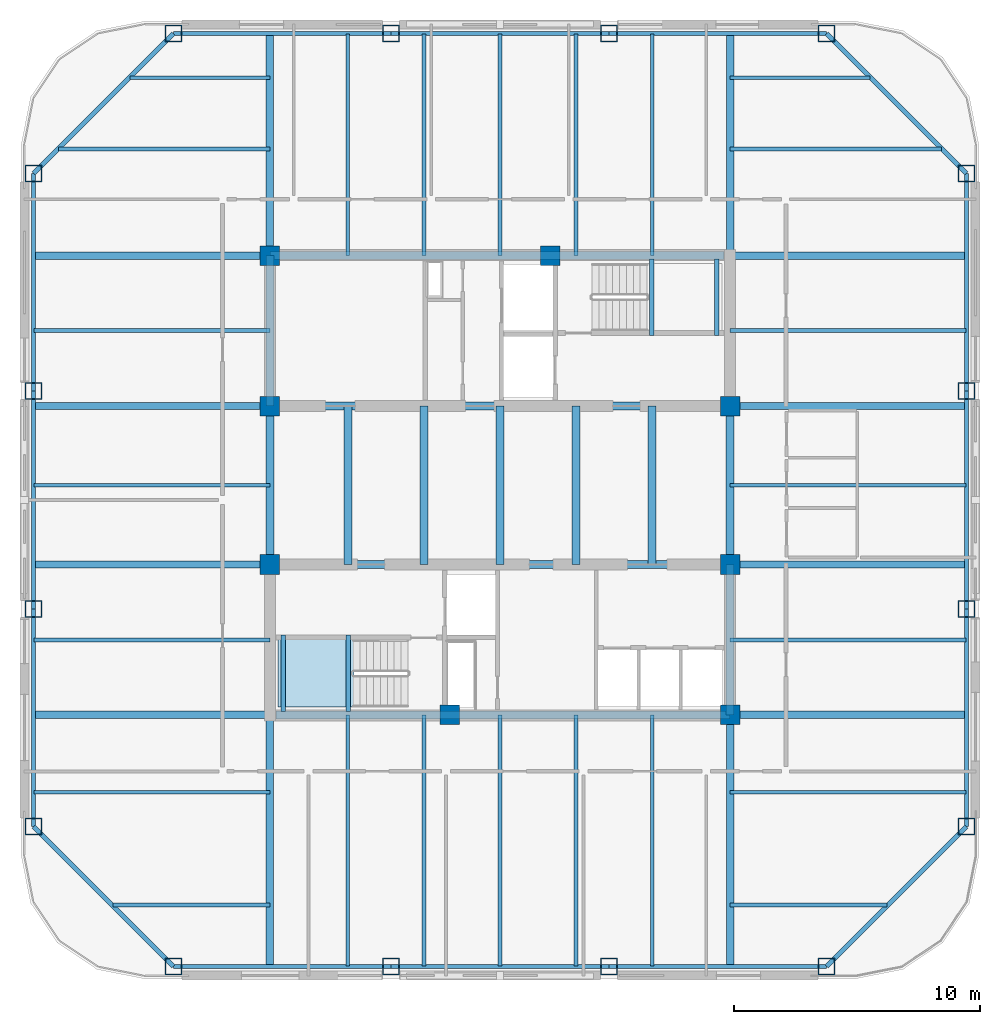
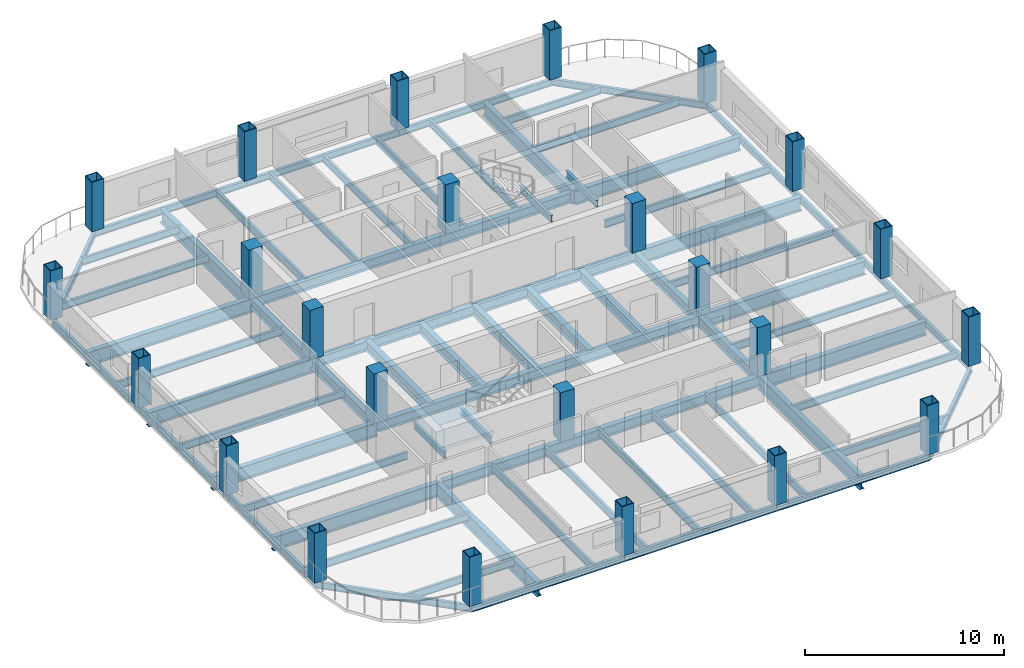
# One storey, part 1 of 8: 69 beams, 24 columns, 1 slab, 1 element without a shape of its own.
"""IFC4 building model written with IfcOpenShell, lengths in metres."""

from ifc_helpers import new_model, si_unit, direction, frame, origin, origin_2d, place, context, subcontext, project, spatial, polyline, rectangle, hollow_rectangle, i_section, outline, extrude, material, layer, layer_set, material_profile, profile_set, type_object, element, aggregate, save


model = new_model("IFC4")

# Units and contexts
model_context = context("Model", 3, precision=1e-05, world=origin(), true_north=direction((0.0, 1.0)))
body_context = subcontext(model_context, "Body", "Model", "MODEL_VIEW")
ifc_project = project(units=[si_unit("LENGTHUNIT", "METRE"), si_unit("AREAUNIT", "SQUARE_METRE"), si_unit("VOLUMEUNIT", "CUBIC_METRE"), si_unit("PLANEANGLEUNIT", "RADIAN"), si_unit("MASSUNIT", "GRAM", prefix="KILO")], contexts=[model_context])

# Site, building, storey
site_placement = place(None, origin())
site = spatial("IfcSite", under=ifc_project, at=site_placement, CompositionType="ELEMENT")
building_placement = place(site_placement, origin())
building = spatial("IfcBuilding", under=site, at=building_placement, Name="Qhalaya Broadcast Tower", CompositionType="ELEMENT")
storey_placement = place(building_placement, frame((0.0, 0.0, 214.75)))
storey = spatial("IfcBuildingStorey", under=building, at=storey_placement, Name="L63", CompositionType="ELEMENT", Elevation=214.75)

# Columns
ifc_material_1 = material(Name="Concrete C50/60", Category="concrete")
ifc_material_profile_1 = material_profile(ifc_material_1, rectangle(XDim=0.800048828125, YDim=0.800048828125, at=origin_2d()), Name="RC-COL 800x800")
ifc_profile_set_1 = profile_set([ifc_material_profile_1], Name="Concrete C50/60")
column_type_1 = type_object("IfcColumnType", Name="RC Upper Column C10", PredefinedType="COLUMN", material=ifc_profile_set_1)
for number, where, z_axis, x_axis, name in (
    (1, (-9.375, 9.949951171875, 0.0), (0.0, 0.0, 1.0), (1.0, 0.0, 0.0), "L63 Column COL-CC1"),
    (2, (2.050048828125, 9.949951171875, 0.0), (0.0, 0.0, 1.0), (1.0, 0.0, 0.0), "L63 Column COL-CC2"),
    (3, (-9.375, 3.824951171875, 0.0), (0.0, 0.0, 1.0), (1.0, 0.0, 0.0), "L63 Column COL-CC3"),
    (4, (9.375, 3.824951171875, 0.0), (0.0, 0.0, 1.0), (1.0, 0.0, 0.0), "L63 Column COL-CC4"),
    (5, (-9.375, -2.625, 0.0), (0.0, 0.0, 1.0), (1.0, 0.0, 0.0), "L63 Column COL-CC5"),
    (6, (9.375, -2.625, 0.0), (0.0, 0.0, 1.0), (1.0, 0.0, 0.0), "L63 Column COL-CC6"),
    (7, (-2.050048828125, -8.75, 0.0), (0.0, 0.0, 1.0), (1.0, 0.0, 0.0), "L63 Column COL-CC7"),
    (8, (9.375, -8.75, 0.0), (0.0, 0.0, 1.0), (1.0, 0.0, 0.0), "L63 Column COL-CC8"),
):
    element("IfcColumn", number, at=place(storey_placement, frame(where, z_axis=z_axis, x_axis=x_axis)), inside=storey, type_object=column_type_1, Name=name, PredefinedType="COLUMN", context=body_context, shape_type="SweptSolid", body=[
        extrude(rectangle(XDim=0.800048828125, YDim=0.800048828125, at=origin_2d()), origin(), (0.0, 0.0, 1.0), 3.050048828125),
    ])
ifc_material_2 = material(Name="Structural Steel ASTM A572 Grade 50", Category="steel")
ifc_material_profile_2 = material_profile(ifc_material_2, hollow_rectangle(XDim=0.699951171875, YDim=0.699951171875, WallThickness=0.044921875, at=origin_2d()), Name="BOX 700x700x45")
ifc_profile_set_2 = profile_set([ifc_material_profile_2], Name="Structural Steel ASTM A572 Grade 50")
column_type_2 = type_object("IfcColumnType", Name="Steel Box Column C04", PredefinedType="COLUMN", material=ifc_profile_set_2)
for number, where, z_axis, x_axis, name in (
    (9, (-13.300048828125, -19.0, 0.0), (0.0, 0.0, 1.0), (1.0, 0.0, 0.0), "L63 Column COL-EX01"),
    (10, (-4.433349609375, -19.0, 0.0), (0.0, 0.0, 1.0), (1.0, 0.0, 0.0), "L63 Column COL-EX02"),
    (11, (4.433349609375, -19.0, 0.0), (0.0, 0.0, 1.0), (1.0, 0.0, 0.0), "L63 Column COL-EX03"),
    (12, (13.300048828125, -19.0, 0.0), (0.0, 0.0, 1.0), (1.0, 0.0, 0.0), "L63 Column COL-EX04"),
    (13, (19.0, -13.300048828125, 0.0), (0.0, 0.0, 1.0), (0.0, 1.0, 0.0), "L63 Column COL-EX05"),
    (14, (19.0, -4.433349609375, 0.0), (0.0, 0.0, 1.0), (0.0, 1.0, 0.0), "L63 Column COL-EX06"),
    (15, (19.0, 4.433349609375, 0.0), (0.0, 0.0, 1.0), (0.0, 1.0, 0.0), "L63 Column COL-EX07"),
    (16, (19.0, 13.300048828125, 0.0), (0.0, 0.0, 1.0), (0.0, 1.0, 0.0), "L63 Column COL-EX08"),
    (17, (13.300048828125, 19.0, 0.0), (0.0, 0.0, 1.0), (1.0, 0.0, 0.0), "L63 Column COL-EX09"),
    (18, (4.433349609375, 19.0, 0.0), (0.0, 0.0, 1.0), (1.0, 0.0, 0.0), "L63 Column COL-EX10"),
    (19, (-4.433349609375, 19.0, 0.0), (0.0, 0.0, 1.0), (1.0, 0.0, 0.0), "L63 Column COL-EX11"),
    (20, (-13.300048828125, 19.0, 0.0), (0.0, 0.0, 1.0), (1.0, 0.0, 0.0), "L63 Column COL-EX12"),
    (21, (-19.0, 13.300048828125, 0.0), (0.0, 0.0, 1.0), (0.0, 1.0, 0.0), "L63 Column COL-EX13"),
    (22, (-19.0, 4.433349609375, 0.0), (0.0, 0.0, 1.0), (0.0, 1.0, 0.0), "L63 Column COL-EX14"),
    (23, (-19.0, -4.433349609375, 0.0), (0.0, 0.0, 1.0), (0.0, 1.0, 0.0), "L63 Column COL-EX15"),
    (24, (-19.0, -13.300048828125, 0.0), (0.0, 0.0, 1.0), (0.0, 1.0, 0.0), "L63 Column COL-EX16"),
):
    element("IfcColumn", number, at=place(storey_placement, frame(where, z_axis=z_axis, x_axis=x_axis)), inside=storey, type_object=column_type_2, Name=name, PredefinedType="COLUMN", context=body_context, shape_type="SweptSolid", body=[
        extrude(hollow_rectangle(XDim=0.699951171875, YDim=0.699951171875, WallThickness=0.044921875, at=origin_2d()), origin(), (0.0, 0.0, 1.0), 3.050048828125),
    ])

# Beams
ifc_material_3 = material(Name="Structural Steel ASTM A992 Grade 50", Category="steel")
ifc_material_profile_3 = material_profile(ifc_material_3, i_section(OverallWidth=0.154052734375, OverallDepth=0.458984375, WebThickness=0.009033203125, FlangeThickness=0.015380859375, at=origin_2d()), Name="W18X46")
ifc_profile_set_3 = profile_set([ifc_material_profile_3], Name="Structural Steel ASTM A992 Grade 50")
beam_type_1 = type_object("IfcBeamType", Name="Composite Floor Joist J04", PredefinedType="JOIST", material=ifc_profile_set_3)
beam_1_placement = place(storey_placement, frame((-6.199951171875, -18.97998046875, -0.41943359375), z_axis=(0.0, 1.0, 0.0), x_axis=(-1.0, 0.0, 0.0)))
element("IfcBeam", 25, at=beam_1_placement, inside=storey, type_object=beam_type_1, Name="L63 J04 L63-JNS1-1", PredefinedType="JOIST", context=body_context, shape_type="SweptSolid", body=[
    extrude(i_section(OverallWidth=0.154052734375, OverallDepth=0.458984375, WebThickness=0.009033203125, FlangeThickness=0.015380859375, at=origin_2d()), origin(), (0.0, 0.0, 1.0), 10.22998046875),
])
beam_2_placement = place(storey_placement, frame((-6.199951171875, 9.949951171875, -0.41943359375), z_axis=(0.0, 1.0, 0.0), x_axis=(-1.0, 0.0, 0.0)))
element("IfcBeam", 26, at=beam_2_placement, inside=storey, type_object=beam_type_1, Name="L63 J04 L63-JNN1-1", PredefinedType="JOIST", context=body_context, shape_type="SweptSolid", body=[
    extrude(i_section(OverallWidth=0.154052734375, OverallDepth=0.458984375, WebThickness=0.009033203125, FlangeThickness=0.015380859375, at=origin_2d()), origin(), (0.0, 0.0, 1.0), 9.030029296875),
])
beam_3_placement = place(storey_placement, frame((-3.10009765625, -18.97998046875, -0.41943359375), z_axis=(0.0, 1.0, 0.0), x_axis=(-1.0, 0.0, 0.0)))
element("IfcBeam", 27, at=beam_3_placement, inside=storey, type_object=beam_type_1, Name="L63 J04 L63-JNS2-1", PredefinedType="JOIST", context=body_context, shape_type="SweptSolid", body=[
    extrude(i_section(OverallWidth=0.154052734375, OverallDepth=0.458984375, WebThickness=0.009033203125, FlangeThickness=0.015380859375, at=origin_2d()), origin(), (0.0, 0.0, 1.0), 10.22998046875),
])
beam_4_placement = place(storey_placement, frame((-3.10009765625, 9.949951171875, -0.41943359375), z_axis=(0.0, 1.0, 0.0), x_axis=(-1.0, 0.0, 0.0)))
element("IfcBeam", 28, at=beam_4_placement, inside=storey, type_object=beam_type_1, Name="L63 J04 L63-JNN2-1", PredefinedType="JOIST", context=body_context, shape_type="SweptSolid", body=[
    extrude(i_section(OverallWidth=0.154052734375, OverallDepth=0.458984375, WebThickness=0.009033203125, FlangeThickness=0.015380859375, at=origin_2d()), origin(), (0.0, 0.0, 1.0), 9.030029296875),
])
beam_5_placement = place(storey_placement, frame((0.0, -18.97998046875, -0.41943359375), z_axis=(0.0, 1.0, 0.0), x_axis=(-1.0, 0.0, 0.0)))
element("IfcBeam", 29, at=beam_5_placement, inside=storey, type_object=beam_type_1, Name="L63 J04 L63-JNS3-1", PredefinedType="JOIST", context=body_context, shape_type="SweptSolid", body=[
    extrude(i_section(OverallWidth=0.154052734375, OverallDepth=0.458984375, WebThickness=0.009033203125, FlangeThickness=0.015380859375, at=origin_2d()), origin(), (0.0, 0.0, 1.0), 10.22998046875),
])
beam_6_placement = place(storey_placement, frame((0.0, 9.949951171875, -0.41943359375), z_axis=(0.0, 1.0, 0.0), x_axis=(-1.0, 0.0, 0.0)))
element("IfcBeam", 30, at=beam_6_placement, inside=storey, type_object=beam_type_1, Name="L63 J04 L63-JNN3-1", PredefinedType="JOIST", context=body_context, shape_type="SweptSolid", body=[
    extrude(i_section(OverallWidth=0.154052734375, OverallDepth=0.458984375, WebThickness=0.009033203125, FlangeThickness=0.015380859375, at=origin_2d()), origin(), (0.0, 0.0, 1.0), 9.030029296875),
])
beam_7_placement = place(storey_placement, frame((3.10009765625, -18.97998046875, -0.41943359375), z_axis=(0.0, 1.0, 0.0), x_axis=(-1.0, 0.0, 0.0)))
element("IfcBeam", 31, at=beam_7_placement, inside=storey, type_object=beam_type_1, Name="L63 J04 L63-JNS4-1", PredefinedType="JOIST", context=body_context, shape_type="SweptSolid", body=[
    extrude(i_section(OverallWidth=0.154052734375, OverallDepth=0.458984375, WebThickness=0.009033203125, FlangeThickness=0.015380859375, at=origin_2d()), origin(), (0.0, 0.0, 1.0), 10.22998046875),
])
beam_8_placement = place(storey_placement, frame((3.10009765625, 9.949951171875, -0.41943359375), z_axis=(0.0, 1.0, 0.0), x_axis=(-1.0, 0.0, 0.0)))
element("IfcBeam", 32, at=beam_8_placement, inside=storey, type_object=beam_type_1, Name="L63 J04 L63-JNN4-1", PredefinedType="JOIST", context=body_context, shape_type="SweptSolid", body=[
    extrude(i_section(OverallWidth=0.154052734375, OverallDepth=0.458984375, WebThickness=0.009033203125, FlangeThickness=0.015380859375, at=origin_2d()), origin(), (0.0, 0.0, 1.0), 9.030029296875),
])
beam_9_placement = place(storey_placement, frame((6.199951171875, -18.97998046875, -0.41943359375), z_axis=(0.0, 1.0, 0.0), x_axis=(-1.0, 0.0, 0.0)))
element("IfcBeam", 33, at=beam_9_placement, inside=storey, type_object=beam_type_1, Name="L63 J04 L63-JNS5-1", PredefinedType="JOIST", context=body_context, shape_type="SweptSolid", body=[
    extrude(i_section(OverallWidth=0.154052734375, OverallDepth=0.458984375, WebThickness=0.009033203125, FlangeThickness=0.015380859375, at=origin_2d()), origin(), (0.0, 0.0, 1.0), 10.22998046875),
])
beam_10_placement = place(storey_placement, frame((6.199951171875, 9.949951171875, -0.41943359375), z_axis=(0.0, 1.0, 0.0), x_axis=(-1.0, 0.0, 0.0)))
element("IfcBeam", 34, at=beam_10_placement, inside=storey, type_object=beam_type_1, Name="L63 J04 L63-JNN5-1", PredefinedType="JOIST", context=body_context, shape_type="SweptSolid", body=[
    extrude(i_section(OverallWidth=0.154052734375, OverallDepth=0.458984375, WebThickness=0.009033203125, FlangeThickness=0.015380859375, at=origin_2d()), origin(), (0.0, 0.0, 1.0), 9.030029296875),
])
for number, where, z_axis, x_axis, name in (
    (35, (-15.771728515625, -16.5, -0.41943359375), (1.0, 0.0, 0.0), (0.0, 1.0, 0.0), "L63 J04 L63-JWE1W-1"),
    (36, (9.375, -16.5, -0.41943359375), (1.0, 0.0, 0.0), (0.0, 1.0, 0.0), "L63 J04 L63-JWE1E-1"),
):
    element("IfcBeam", number, at=place(storey_placement, frame(where, z_axis=z_axis, x_axis=x_axis)), inside=storey, type_object=beam_type_1, Name=name, PredefinedType="JOIST", context=body_context, shape_type="SweptSolid", body=[
        extrude(i_section(OverallWidth=0.154052734375, OverallDepth=0.458984375, WebThickness=0.009033203125, FlangeThickness=0.015380859375, at=origin_2d()), origin(), (0.0, 0.0, 1.0), 6.396728515625),
    ])
for number, where, z_axis, x_axis, name in (
    (37, (-18.97998046875, -11.89990234375, -0.41943359375), (1.0, 0.0, 0.0), (0.0, 1.0, 0.0), "L63 J04 L63-JWE2W-1"),
    (38, (9.375, -11.89990234375, -0.41943359375), (1.0, 0.0, 0.0), (0.0, 1.0, 0.0), "L63 J04 L63-JWE2E-1"),
    (39, (-18.97998046875, -5.699951171875, -0.41943359375), (1.0, 0.0, 0.0), (0.0, 1.0, 0.0), "L63 J04 L63-JWE3W-1"),
    (40, (9.375, -5.699951171875, -0.41943359375), (1.0, 0.0, 0.0), (0.0, 1.0, 0.0), "L63 J04 L63-JWE3E-1"),
    (41, (-18.97998046875, 0.60009765625, -0.41943359375), (1.0, 0.0, 0.0), (0.0, 1.0, 0.0), "L63 J04 L63-JWE4W-1"),
    (42, (9.375, 0.60009765625, -0.41943359375), (1.0, 0.0, 0.0), (0.0, 1.0, 0.0), "L63 J04 L63-JWE4E-1"),
    (43, (-18.97998046875, 6.89990234375, -0.41943359375), (1.0, 0.0, 0.0), (0.0, 1.0, 0.0), "L63 J04 L63-JWE5W-1"),
    (44, (9.375, 6.89990234375, -0.41943359375), (1.0, 0.0, 0.0), (0.0, 1.0, 0.0), "L63 J04 L63-JWE5E-1"),
):
    element("IfcBeam", number, at=place(storey_placement, frame(where, z_axis=z_axis, x_axis=x_axis)), inside=storey, type_object=beam_type_1, Name=name, PredefinedType="JOIST", context=body_context, shape_type="SweptSolid", body=[
        extrude(i_section(OverallWidth=0.154052734375, OverallDepth=0.458984375, WebThickness=0.009033203125, FlangeThickness=0.015380859375, at=origin_2d()), origin(), (0.0, 0.0, 1.0), 9.60498046875),
    ])
for number, where, z_axis, x_axis, name in (
    (45, (-17.9716796875, 14.300048828125, -0.41943359375), (1.0, 0.0, 0.0), (0.0, 1.0, 0.0), "L63 J04 L63-JWE6W-1"),
    (46, (9.375, 14.300048828125, -0.41943359375), (1.0, 0.0, 0.0), (0.0, 1.0, 0.0), "L63 J04 L63-JWE6E-1"),
):
    element("IfcBeam", number, at=place(storey_placement, frame(where, z_axis=z_axis, x_axis=x_axis)), inside=storey, type_object=beam_type_1, Name=name, PredefinedType="JOIST", context=body_context, shape_type="SweptSolid", body=[
        extrude(i_section(OverallWidth=0.154052734375, OverallDepth=0.458984375, WebThickness=0.009033203125, FlangeThickness=0.015380859375, at=origin_2d()), origin(), (0.0, 0.0, 1.0), 8.5966796875),
    ])
for number, where, z_axis, x_axis, name in (
    (47, (-15.07177734375, 17.199951171875, -0.41943359375), (1.0, 0.0, 0.0), (0.0, 1.0, 0.0), "L63 J04 L63-JWE7W-1"),
    (48, (9.375, 17.199951171875, -0.41943359375), (1.0, 0.0, 0.0), (0.0, 1.0, 0.0), "L63 J04 L63-JWE7E-1"),
):
    element("IfcBeam", number, at=place(storey_placement, frame(where, z_axis=z_axis, x_axis=x_axis)), inside=storey, type_object=beam_type_1, Name=name, PredefinedType="JOIST", context=body_context, shape_type="SweptSolid", body=[
        extrude(i_section(OverallWidth=0.154052734375, OverallDepth=0.458984375, WebThickness=0.009033203125, FlangeThickness=0.015380859375, at=origin_2d()), origin(), (0.0, 0.0, 1.0), 5.69677734375),
    ])
ifc_material_profile_4 = material_profile(ifc_material_3, i_section(OverallWidth=0.323974609375, OverallDepth=0.612060546875, WebThickness=0.0126953125, FlangeThickness=0.01904296875, at=origin_2d()), Name="W24X104")
ifc_profile_set_4 = profile_set([ifc_material_profile_4], Name="Structural Steel ASTM A992 Grade 50")
beam_type_2 = type_object("IfcBeamType", Name="Core Frame Tie Beam B04", PredefinedType="BEAM", material=ifc_profile_set_4)
beam_11_placement = place(storey_placement, frame((-9.375, 3.824951171875, -0.49609375), z_axis=(1.0, 0.0, 0.0), x_axis=(0.0, 1.0, 0.0)))
element("IfcBeam", 49, at=beam_11_placement, inside=storey, type_object=beam_type_2, Name="L63 B04 L63-CCN1", PredefinedType="BEAM", context=body_context, shape_type="SweptSolid", body=[
    extrude(i_section(OverallWidth=0.323974609375, OverallDepth=0.612060546875, WebThickness=0.0126953125, FlangeThickness=0.01904296875, at=origin_2d()), origin(), (0.0, 0.0, 1.0), 18.75),
])
beam_12_placement = place(storey_placement, frame((-9.375, 3.824951171875, -0.49609375), z_axis=(0.0, 1.0, 0.0), x_axis=(-1.0, 0.0, 0.0)))
element("IfcBeam", 50, at=beam_12_placement, inside=storey, type_object=beam_type_2, Name="L63 B04 L63-CCN2", PredefinedType="BEAM", context=body_context, shape_type="SweptSolid", body=[
    extrude(i_section(OverallWidth=0.323974609375, OverallDepth=0.612060546875, WebThickness=0.0126953125, FlangeThickness=0.01904296875, at=origin_2d()), origin(), (0.0, 0.0, 1.0), 6.125),
])
beam_13_placement = place(storey_placement, frame((-9.375, 9.949951171875, -0.49609375), z_axis=(1.0, 0.0, 0.0), x_axis=(0.0, 1.0, 0.0)))
element("IfcBeam", 51, at=beam_13_placement, inside=storey, type_object=beam_type_2, Name="L63 B04 L63-CCN3", PredefinedType="BEAM", context=body_context, shape_type="SweptSolid", body=[
    extrude(i_section(OverallWidth=0.323974609375, OverallDepth=0.612060546875, WebThickness=0.0126953125, FlangeThickness=0.01904296875, at=origin_2d()), origin(), (0.0, 0.0, 1.0), 18.4951171875),
])
beam_14_placement = place(storey_placement, frame((-9.375, -2.625, -0.49609375), z_axis=(1.0, 0.0, 0.0), x_axis=(0.0, 1.0, 0.0)))
element("IfcBeam", 52, at=beam_14_placement, inside=storey, type_object=beam_type_2, Name="L63 B04 L63-CCS1", PredefinedType="BEAM", context=body_context, shape_type="SweptSolid", body=[
    extrude(i_section(OverallWidth=0.323974609375, OverallDepth=0.612060546875, WebThickness=0.0126953125, FlangeThickness=0.01904296875, at=origin_2d()), origin(), (0.0, 0.0, 1.0), 18.75),
])
beam_15_placement = place(storey_placement, frame((9.375, -8.75, -0.49609375), z_axis=(0.0, 1.0, 0.0), x_axis=(-1.0, 0.0, 0.0)))
element("IfcBeam", 53, at=beam_15_placement, inside=storey, type_object=beam_type_2, Name="L63 B04 L63-CCS2", PredefinedType="BEAM", context=body_context, shape_type="SweptSolid", body=[
    extrude(i_section(OverallWidth=0.323974609375, OverallDepth=0.612060546875, WebThickness=0.0126953125, FlangeThickness=0.01904296875, at=origin_2d()), origin(), (0.0, 0.0, 1.0), 6.125),
])
beam_16_placement = place(storey_placement, frame((-9.1201171875, -8.75, -0.49609375), z_axis=(1.0, 0.0, 0.0), x_axis=(0.0, 1.0, 0.0)))
element("IfcBeam", 54, at=beam_16_placement, inside=storey, type_object=beam_type_2, Name="L63 B04 L63-CCS3", PredefinedType="BEAM", context=body_context, shape_type="SweptSolid", body=[
    extrude(i_section(OverallWidth=0.323974609375, OverallDepth=0.612060546875, WebThickness=0.0126953125, FlangeThickness=0.01904296875, at=origin_2d()), origin(), (0.0, 0.0, 1.0), 18.4951171875),
])
for number, where, z_axis, x_axis, name in (
    (55, (-9.375, -2.625, -0.49609375), (0.0, 1.0, 0.0), (-1.0, 0.0, 0.0), "L63 B04 L63-CCW"),
    (56, (9.375, -2.625, -0.49609375), (0.0, 1.0, 0.0), (-1.0, 0.0, 0.0), "L63 B04 L63-CCE"),
    (57, (-6.199951171875, -2.625, -0.49609375), (0.0, 1.0, 0.0), (-1.0, 0.0, 0.0), "L63 B04 L63-JC1-1"),
    (58, (-3.10009765625, -2.625, -0.49609375), (0.0, 1.0, 0.0), (-1.0, 0.0, 0.0), "L63 B04 L63-JC2-1"),
    (59, (0.0, -2.625, -0.49609375), (0.0, 1.0, 0.0), (-1.0, 0.0, 0.0), "L63 B04 L63-JC3-1"),
    (60, (3.10009765625, -2.625, -0.49609375), (0.0, 1.0, 0.0), (-1.0, 0.0, 0.0), "L63 B04 L63-JC4-1"),
    (61, (6.199951171875, -2.625, -0.49609375), (0.0, 1.0, 0.0), (-1.0, 0.0, 0.0), "L63 B04 L63-JC5-1"),
):
    element("IfcBeam", number, at=place(storey_placement, frame(where, z_axis=z_axis, x_axis=x_axis)), inside=storey, type_object=beam_type_2, Name=name, PredefinedType="BEAM", context=body_context, shape_type="SweptSolid", body=[
        extrude(i_section(OverallWidth=0.323974609375, OverallDepth=0.612060546875, WebThickness=0.0126953125, FlangeThickness=0.01904296875, at=origin_2d()), origin(), (0.0, 0.0, 1.0), 6.449951171875),
    ])
ifc_material_profile_5 = material_profile(ifc_material_3, i_section(OverallWidth=0.2919921875, OverallDepth=0.85888671875, WebThickness=0.01708984375, FlangeThickness=0.031005859375, at=origin_2d()), Name="W33X169")
ifc_profile_set_5 = profile_set([ifc_material_profile_5], Name="Structural Steel ASTM A992 Grade 50")
beam_type_3 = type_object("IfcBeamType", Name="Upper Block Primary Girder PG4", PredefinedType="USERDEFINED", material=ifc_profile_set_5)
beam_17_placement = place(storey_placement, frame((-9.375, -18.97998046875, -0.619384765625), z_axis=(0.0, 1.0, 0.0), x_axis=(-1.0, 0.0, 0.0)))
element("IfcBeam", 62, at=beam_17_placement, inside=storey, type_object=beam_type_3, Name="L63 PG4 L63-PGXS1-1", ObjectType="GIRDER", PredefinedType="USERDEFINED", context=body_context, shape_type="SweptSolid", body=[
    extrude(i_section(OverallWidth=0.2919921875, OverallDepth=0.85888671875, WebThickness=0.01708984375, FlangeThickness=0.031005859375, at=origin_2d()), origin(), (0.0, 0.0, 1.0), 10.22998046875),
])
beam_18_placement = place(storey_placement, frame((-9.375, 9.949951171875, -0.619384765625), z_axis=(0.0, 1.0, 0.0), x_axis=(-1.0, 0.0, 0.0)))
element("IfcBeam", 63, at=beam_18_placement, inside=storey, type_object=beam_type_3, Name="L63 PG4 L63-PGXN1-1", ObjectType="GIRDER", PredefinedType="USERDEFINED", context=body_context, shape_type="SweptSolid", body=[
    extrude(i_section(OverallWidth=0.2919921875, OverallDepth=0.85888671875, WebThickness=0.01708984375, FlangeThickness=0.031005859375, at=origin_2d()), origin(), (0.0, 0.0, 1.0), 9.030029296875),
])
beam_19_placement = place(storey_placement, frame((9.375, -18.97998046875, -0.619384765625), z_axis=(0.0, 1.0, 0.0), x_axis=(-1.0, 0.0, 0.0)))
element("IfcBeam", 64, at=beam_19_placement, inside=storey, type_object=beam_type_3, Name="L63 PG4 L63-PGXS2-1", ObjectType="GIRDER", PredefinedType="USERDEFINED", context=body_context, shape_type="SweptSolid", body=[
    extrude(i_section(OverallWidth=0.2919921875, OverallDepth=0.85888671875, WebThickness=0.01708984375, FlangeThickness=0.031005859375, at=origin_2d()), origin(), (0.0, 0.0, 1.0), 10.22998046875),
])
beam_20_placement = place(storey_placement, frame((9.375, 9.949951171875, -0.619384765625), z_axis=(0.0, 1.0, 0.0), x_axis=(-1.0, 0.0, 0.0)))
element("IfcBeam", 65, at=beam_20_placement, inside=storey, type_object=beam_type_3, Name="L63 PG4 L63-PGXN2-1", ObjectType="GIRDER", PredefinedType="USERDEFINED", context=body_context, shape_type="SweptSolid", body=[
    extrude(i_section(OverallWidth=0.2919921875, OverallDepth=0.85888671875, WebThickness=0.01708984375, FlangeThickness=0.031005859375, at=origin_2d()), origin(), (0.0, 0.0, 1.0), 9.030029296875),
])
for number, where, z_axis, x_axis, name in (
    (66, (-18.97998046875, -8.75, -0.619384765625), (1.0, 0.0, 0.0), (0.0, 1.0, 0.0), "L63 PG4 L63-PGYW1-1"),
    (67, (9.375, -8.75, -0.619384765625), (1.0, 0.0, 0.0), (0.0, 1.0, 0.0), "L63 PG4 L63-PGYE1-1"),
    (68, (-18.97998046875, -2.625, -0.619384765625), (1.0, 0.0, 0.0), (0.0, 1.0, 0.0), "L63 PG4 L63-PGYW2-1"),
    (69, (9.375, -2.625, -0.619384765625), (1.0, 0.0, 0.0), (0.0, 1.0, 0.0), "L63 PG4 L63-PGYE2-1"),
    (70, (-18.97998046875, 3.824951171875, -0.619384765625), (1.0, 0.0, 0.0), (0.0, 1.0, 0.0), "L63 PG4 L63-PGYW3-1"),
    (71, (9.375, 3.824951171875, -0.619384765625), (1.0, 0.0, 0.0), (0.0, 1.0, 0.0), "L63 PG4 L63-PGYE3-1"),
    (72, (-18.97998046875, 9.949951171875, -0.619384765625), (1.0, 0.0, 0.0), (0.0, 1.0, 0.0), "L63 PG4 L63-PGYW4-1"),
    (73, (9.375, 9.949951171875, -0.619384765625), (1.0, 0.0, 0.0), (0.0, 1.0, 0.0), "L63 PG4 L63-PGYE4-1"),
):
    element("IfcBeam", number, at=place(storey_placement, frame(where, z_axis=z_axis, x_axis=x_axis)), inside=storey, type_object=beam_type_3, Name=name, ObjectType="GIRDER", PredefinedType="USERDEFINED", context=body_context, shape_type="SweptSolid", body=[
        extrude(i_section(OverallWidth=0.2919921875, OverallDepth=0.85888671875, WebThickness=0.01708984375, FlangeThickness=0.031005859375, at=origin_2d()), origin(), (0.0, 0.0, 1.0), 9.60498046875),
    ])
ifc_material_profile_6 = material_profile(ifc_material_3, i_section(OverallWidth=0.177978515625, OverallDepth=0.406005859375, WebThickness=0.0078125, FlangeThickness=0.0126953125, at=origin_2d()), Name="W16X40")
ifc_profile_set_6 = profile_set([ifc_material_profile_6], Name="Structural Steel ASTM A992 Grade 50")
beam_type_4 = type_object("IfcBeamType", Name="Upper Perimeter Spandrel Beam SP2", PredefinedType="SPANDREL", material=ifc_profile_set_6)
for number, where, z_axis, x_axis, name in (
    (74, (-13.300048828125, -19.0, -0.39306640625), (1.0, 0.0, 0.0), (0.0, 1.0, 0.0), "L63 SP2 L63-SPR-01"),
    (75, (-4.433349609375, -19.0, -0.39306640625), (1.0, 0.0, 0.0), (0.0, 1.0, 0.0), "L63 SP2 L63-SPR-02"),
    (76, (4.433349609375, -19.0, -0.39306640625), (1.0, 0.0, 0.0), (0.0, 1.0, 0.0), "L63 SP2 L63-SPR-03"),
):
    element("IfcBeam", number, at=place(storey_placement, frame(where, z_axis=z_axis, x_axis=x_axis)), inside=storey, type_object=beam_type_4, Name=name, PredefinedType="SPANDREL", context=body_context, shape_type="SweptSolid", body=[
        extrude(i_section(OverallWidth=0.177978515625, OverallDepth=0.406005859375, WebThickness=0.0078125, FlangeThickness=0.0126953125, at=origin_2d()), origin(), (0.0, 0.0, 1.0), 8.86669921875),
    ])
beam_21_placement = place(storey_placement, frame((13.300048828125, -19.0, -0.39306640625), z_axis=(0.707106781187, 0.707106781187, 0.0), x_axis=(-0.707106781187, 0.707106781187, 0.0)))
element("IfcBeam", 77, at=beam_21_placement, inside=storey, type_object=beam_type_4, Name="L63 SP2 L63-SPR-04", PredefinedType="SPANDREL", context=body_context, shape_type="SweptSolid", body=[
    extrude(i_section(OverallWidth=0.177978515625, OverallDepth=0.406005859375, WebThickness=0.0078125, FlangeThickness=0.0126953125, at=origin_2d()), origin(), (0.0, 0.0, 1.0), 8.06103515625),
])
for number, where, z_axis, x_axis, name in (
    (78, (19.0, -13.300048828125, -0.39306640625), (0.0, 1.0, 0.0), (-1.0, 0.0, 0.0), "L63 SP2 L63-SPR-05"),
    (79, (19.0, -4.433349609375, -0.39306640625), (0.0, 1.0, 0.0), (-1.0, 0.0, 0.0), "L63 SP2 L63-SPR-06"),
    (80, (19.0, 4.433349609375, -0.39306640625), (0.0, 1.0, 0.0), (-1.0, 0.0, 0.0), "L63 SP2 L63-SPR-07"),
):
    element("IfcBeam", number, at=place(storey_placement, frame(where, z_axis=z_axis, x_axis=x_axis)), inside=storey, type_object=beam_type_4, Name=name, PredefinedType="SPANDREL", context=body_context, shape_type="SweptSolid", body=[
        extrude(i_section(OverallWidth=0.177978515625, OverallDepth=0.406005859375, WebThickness=0.0078125, FlangeThickness=0.0126953125, at=origin_2d()), origin(), (0.0, 0.0, 1.0), 8.86669921875),
    ])
beam_22_placement = place(storey_placement, frame((19.0, 13.300048828125, -0.39306640625), z_axis=(-0.707106781187, 0.707106781187, 0.0), x_axis=(-0.707106781187, -0.707106781187, 0.0)))
element("IfcBeam", 81, at=beam_22_placement, inside=storey, type_object=beam_type_4, Name="L63 SP2 L63-SPR-08", PredefinedType="SPANDREL", context=body_context, shape_type="SweptSolid", body=[
    extrude(i_section(OverallWidth=0.177978515625, OverallDepth=0.406005859375, WebThickness=0.0078125, FlangeThickness=0.0126953125, at=origin_2d()), origin(), (0.0, 0.0, 1.0), 8.06103515625),
])
for number, where, z_axis, x_axis, name in (
    (82, (13.300048828125, 19.0, -0.39306640625), (-1.0, 0.0, 0.0), (0.0, -1.0, 0.0), "L63 SP2 L63-SPR-09"),
    (83, (4.433349609375, 19.0, -0.39306640625), (-1.0, 0.0, 0.0), (0.0, -1.0, 0.0), "L63 SP2 L63-SPR-10"),
    (84, (-4.433349609375, 19.0, -0.39306640625), (-1.0, 0.0, 0.0), (0.0, -1.0, 0.0), "L63 SP2 L63-SPR-11"),
):
    element("IfcBeam", number, at=place(storey_placement, frame(where, z_axis=z_axis, x_axis=x_axis)), inside=storey, type_object=beam_type_4, Name=name, PredefinedType="SPANDREL", context=body_context, shape_type="SweptSolid", body=[
        extrude(i_section(OverallWidth=0.177978515625, OverallDepth=0.406005859375, WebThickness=0.0078125, FlangeThickness=0.0126953125, at=origin_2d()), origin(), (0.0, 0.0, 1.0), 8.86669921875),
    ])
beam_23_placement = place(storey_placement, frame((-13.300048828125, 19.0, -0.39306640625), z_axis=(-0.707106781187, -0.707106781187, 0.0), x_axis=(0.707106781187, -0.707106781187, 0.0)))
element("IfcBeam", 85, at=beam_23_placement, inside=storey, type_object=beam_type_4, Name="L63 SP2 L63-SPR-12", PredefinedType="SPANDREL", context=body_context, shape_type="SweptSolid", body=[
    extrude(i_section(OverallWidth=0.177978515625, OverallDepth=0.406005859375, WebThickness=0.0078125, FlangeThickness=0.0126953125, at=origin_2d()), origin(), (0.0, 0.0, 1.0), 8.06103515625),
])
for number, where, z_axis, x_axis, name in (
    (86, (-19.0, 13.300048828125, -0.39306640625), (0.0, -1.0, 0.0), (1.0, 0.0, 0.0), "L63 SP2 L63-SPR-13"),
    (87, (-19.0, 4.433349609375, -0.39306640625), (0.0, -1.0, 0.0), (1.0, 0.0, 0.0), "L63 SP2 L63-SPR-14"),
    (88, (-19.0, -4.433349609375, -0.39306640625), (0.0, -1.0, 0.0), (1.0, 0.0, 0.0), "L63 SP2 L63-SPR-15"),
):
    element("IfcBeam", number, at=place(storey_placement, frame(where, z_axis=z_axis, x_axis=x_axis)), inside=storey, type_object=beam_type_4, Name=name, PredefinedType="SPANDREL", context=body_context, shape_type="SweptSolid", body=[
        extrude(i_section(OverallWidth=0.177978515625, OverallDepth=0.406005859375, WebThickness=0.0078125, FlangeThickness=0.0126953125, at=origin_2d()), origin(), (0.0, 0.0, 1.0), 8.86669921875),
    ])
beam_24_placement = place(storey_placement, frame((-19.0, -13.300048828125, -0.39306640625), z_axis=(0.707106781187, -0.707106781187, 0.0), x_axis=(0.707106781187, 0.707106781187, 0.0)))
element("IfcBeam", 89, at=beam_24_placement, inside=storey, type_object=beam_type_4, Name="L63 SP2 L63-SPR-16", PredefinedType="SPANDREL", context=body_context, shape_type="SweptSolid", body=[
    extrude(i_section(OverallWidth=0.177978515625, OverallDepth=0.406005859375, WebThickness=0.0078125, FlangeThickness=0.0126953125, at=origin_2d()), origin(), (0.0, 0.0, 1.0), 8.06103515625),
])
for number, where, z_axis, x_axis, name in (
    (90, (6.175048828125, 6.699951171875, 1.1220703125), (0.0, 1.0, 0.0), (-1.0, 0.0, 0.0), "L63 ST-1 Half-Landing Bearer Beam 1"),
    (91, (8.830078125, 6.699951171875, 1.1220703125), (0.0, 1.0, 0.0), (-1.0, 0.0, 0.0), "L63 ST-1 Half-Landing Bearer Beam 2"),
    (92, (-8.830078125, -8.6201171875, 1.1220703125), (0.0, 1.0, 0.0), (-1.0, 0.0, 0.0), "L63 ST-2 Half-Landing Bearer Beam 1"),
    (93, (-6.175048828125, -8.6201171875, 1.1220703125), (0.0, 1.0, 0.0), (-1.0, 0.0, 0.0), "L63 ST-2 Half-Landing Bearer Beam 2"),
):
    element("IfcBeam", number, at=place(storey_placement, frame(where, z_axis=z_axis, x_axis=x_axis)), inside=storey, type_object=beam_type_4, Name=name, PredefinedType="SPANDREL", context=body_context, shape_type="SweptSolid", body=[
        extrude(i_section(OverallWidth=0.177978515625, OverallDepth=0.406005859375, WebThickness=0.0078125, FlangeThickness=0.0126953125, at=origin_2d()), origin(), (0.0, 0.0, 1.0), 3.1201171875),
    ])

# Stair, slab
ifc_material_4 = material(Name="Concrete C40/50", Category="concrete")
stair_type = type_object("IfcStairType", Name="Protected Dogleg Core Stair 3150", PredefinedType="TWO_STRAIGHT_RUN_STAIR", material=ifc_material_4)
stair_placement = place(storey_placement, origin())
stair = element("IfcStair", 94, at=stair_placement, inside=storey, type_object=stair_type, Name="L63 South Core Exit Stair ST-2", PredefinedType="TWO_STRAIGHT_RUN_STAIR")
ifc_layer = layer(ifc_material_4, 0.199951171875, Name="Concrete C40/50")
ifc_layer_set = layer_set([ifc_layer], Name="Concrete C40/50")
slab_type = type_object("IfcSlabType", Name="Stair & Ramp Half-Landing Slab 200", PredefinedType="LANDING", material=ifc_layer_set)
slab_placement = place(storey_placement, frame((0.0, 0.0, 1.324951171875)))
slab = element("IfcSlab", 95, at=slab_placement, type_object=slab_type, Name="ST-2 landing 1", PredefinedType="LANDING", context=body_context, shape_type="SweptSolid", body=[
    extrude(outline(polyline([(-5.955078125, -5.679931640625), (-9.050048828125, -5.679931640625), (-9.050048828125, -8.43994140625), (-5.955078125, -8.43994140625), (-5.955078125, -5.679931640625)])), origin(), (0.0, 0.0, 1.0), 0.199951171875),
])
aggregate(stair, [slab])

save(model, "model.ifc")
